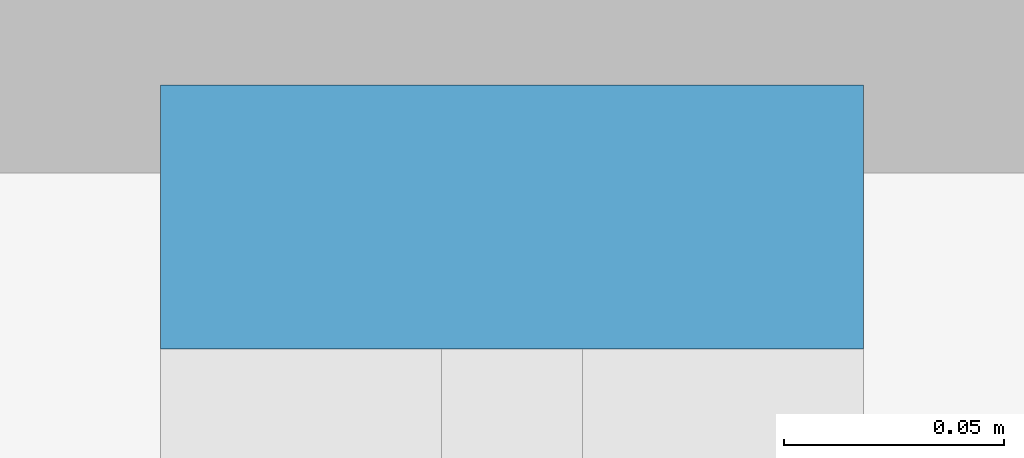
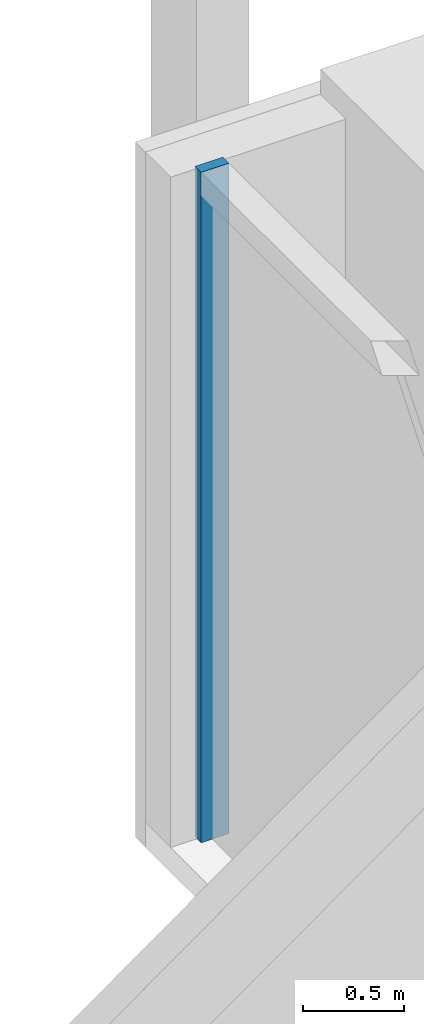
# One storey, part 13 of 28: 1 member, 1 element without a shape of its own.
"""IFC4 building model written with IfcOpenShell, lengths in metres."""

from ifc_helpers import new_model, si_unit, direction, frame, origin, origin_2d, place, context, subcontext, project, spatial, rectangle, extrude, material, material_profile, profile_set, type_object, element, aggregate, save


model = new_model("IFC4")

# Units and contexts
model_context = context("Model", 3, precision=1e-05, world=origin(), true_north=direction((0.0, 1.0)))
body_context = subcontext(model_context, "Body", "Model", "MODEL_VIEW")
ifc_project = project(units=[si_unit("LENGTHUNIT", "METRE"), si_unit("AREAUNIT", "SQUARE_METRE"), si_unit("VOLUMEUNIT", "CUBIC_METRE"), si_unit("PLANEANGLEUNIT", "RADIAN"), si_unit("MASSUNIT", "GRAM", prefix="KILO")], contexts=[model_context])

# Site, building, storey
site_placement = place(None, origin())
site = spatial("IfcSite", under=ifc_project, at=site_placement, CompositionType="ELEMENT")
building_placement = place(site_placement, origin())
building = spatial("IfcBuilding", under=site, at=building_placement, Name="Bicima Exchange Tower", CompositionType="ELEMENT")
storey_placement = place(building_placement, frame((0.0, 0.0, 241.39990234375)))
storey = spatial("IfcBuildingStorey", under=building, at=storey_placement, Name="L54", CompositionType="ELEMENT", Elevation=241.39990234375)

# Curtain wall, member
ifc_material = material(Name="Anodised bronze aluminium", Category="aluminium")
curtain_wall_type = type_object("IfcCurtainWallType", Name="Front glass wall", PredefinedType="NOTDEFINED", material=ifc_material)
curtain_wall_placement = place(storey_placement, origin())
curtain_wall = element("IfcCurtainWall", 1, at=curtain_wall_placement, inside=storey, type_object=curtain_wall_type, Name="Front glass wall L54 run 4", PredefinedType="NOTDEFINED")
ifc_material_profile = material_profile(ifc_material, rectangle(XDim=0.159912109375, YDim=0.06005859375, at=origin_2d()))
ifc_profile_set = profile_set([ifc_material_profile], Name="Anodised bronze aluminium")
member_type = type_object("IfcMemberType", Name="Front glass wall mullion 60 x 160", PredefinedType="MULLION", material=ifc_profile_set)
member_placement = place(storey_placement, frame((-22.77001953125, -0.260009765625, 0.0), z_axis=(0.0, 0.0, 1.0), x_axis=(1.0, 0.0, 0.0)))
member = element("IfcMember", 2, at=member_placement, type_object=member_type, Name="Front glass wall mullion 1", PredefinedType="MULLION", context=body_context, shape_type="SweptSolid", body=[
    extrude(rectangle(XDim=0.159912109375, YDim=0.06005859375, at=origin_2d()), origin(), (0.0, 0.0, 1.0), 4.050048828125),
])
aggregate(curtain_wall, [member])

save(model, "model.ifc")
